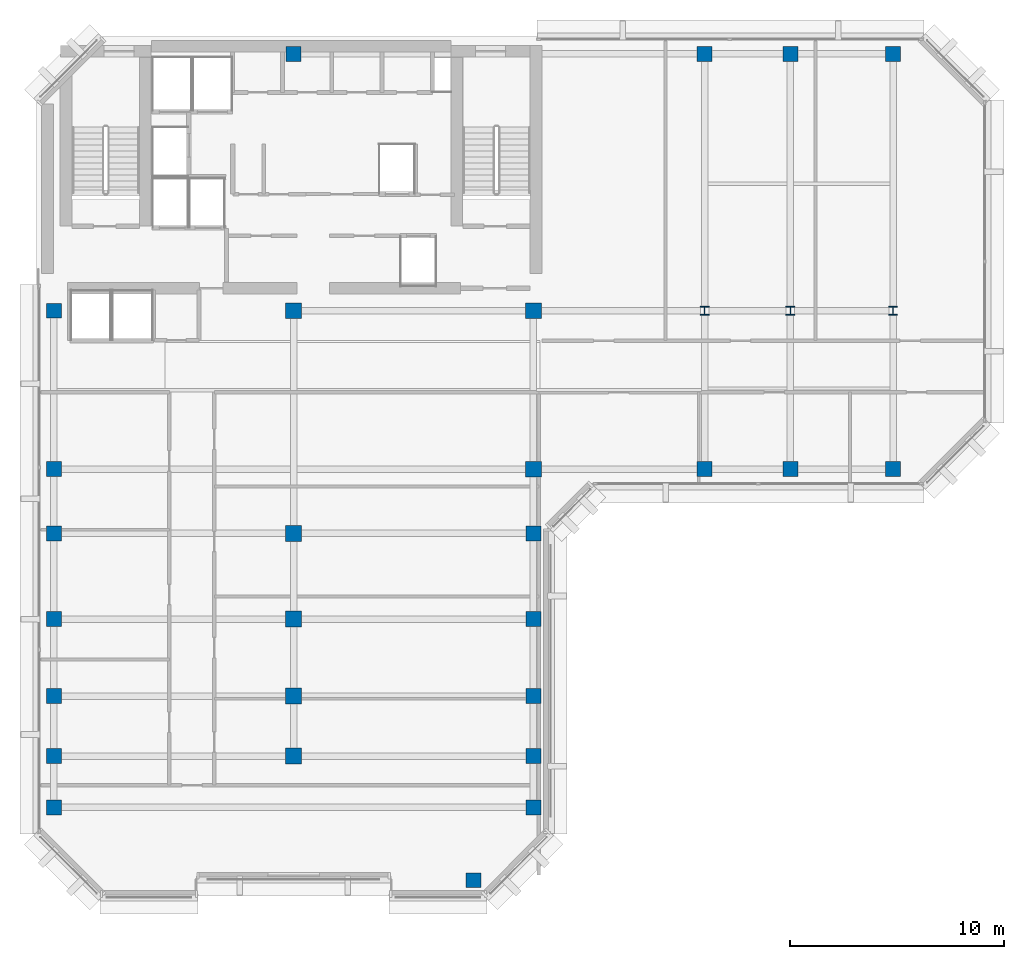
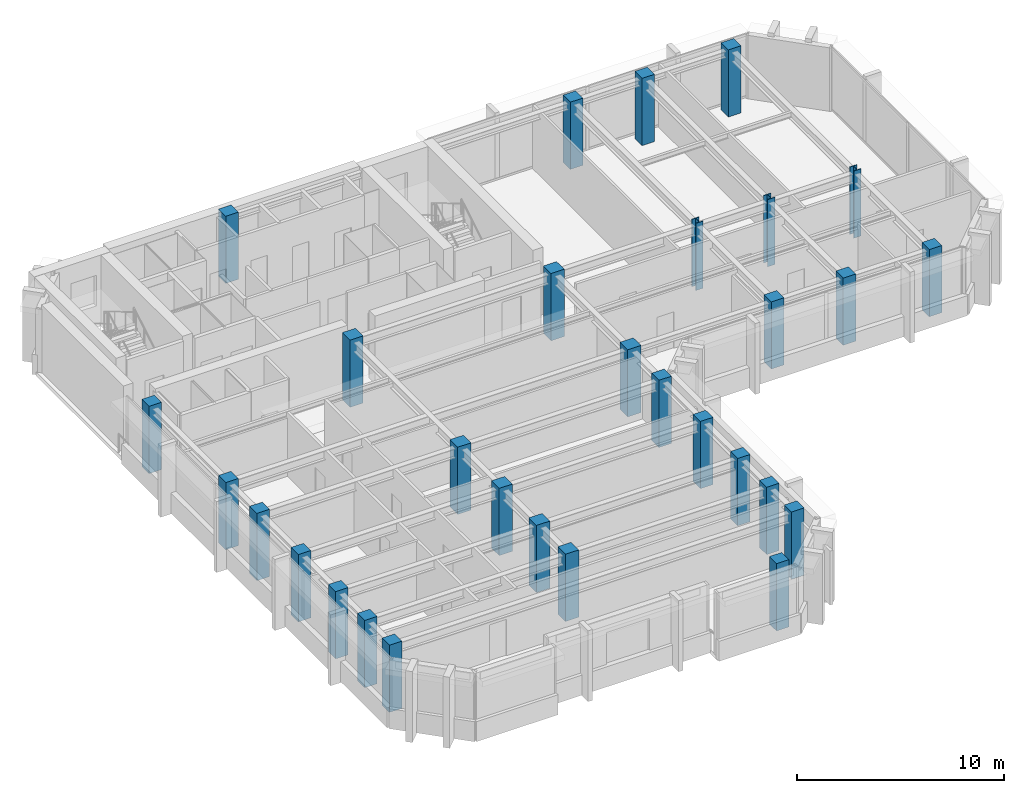
# One storey, part 1 of 12: 30 columns.
"""IFC4 building model written with IfcOpenShell, lengths in metres."""

from ifc_helpers import new_model, si_unit, direction, frame, origin, origin_2d, place, context, subcontext, project, spatial, rectangle, i_section, extrude, material, material_profile, profile_set, type_object, element, save


model = new_model("IFC4")

# Units and contexts
model_context = context("Model", 3, precision=1e-05, world=origin(), true_north=direction((0.0, 1.0)))
body_context = subcontext(model_context, "Body", "Model", "MODEL_VIEW")
ifc_project = project(units=[si_unit("LENGTHUNIT", "METRE"), si_unit("AREAUNIT", "SQUARE_METRE"), si_unit("VOLUMEUNIT", "CUBIC_METRE"), si_unit("PLANEANGLEUNIT", "RADIAN"), si_unit("MASSUNIT", "GRAM", prefix="KILO")], contexts=[model_context])

# Site, building, storey
site_placement = place(None, origin())
site = spatial("IfcSite", under=ifc_project, at=site_placement, CompositionType="ELEMENT")
building_placement = place(site_placement, origin())
building = spatial("IfcBuilding", under=site, at=building_placement, Name="Kefirva Bronze Tower", CompositionType="ELEMENT")
storey_placement = place(building_placement, frame((0.0, 0.0, 296.010009765625)))
storey = spatial("IfcBuildingStorey", under=building, at=storey_placement, Name="L72", CompositionType="ELEMENT", Elevation=296.010009765625)

# Columns
ifc_material_1 = material(Name="Concrete C50/60", Category="concrete")
ifc_material_profile_1 = material_profile(ifc_material_1, rectangle(XDim=0.699951171875, YDim=0.699951171875, at=origin_2d()), Name="RC 700x700")
ifc_profile_set_1 = profile_set([ifc_material_profile_1], Name="Concrete C50/60")
column_type_1 = type_object("IfcColumnType", Name="RC Column 700x700 Ext", PredefinedType="COLUMN", material=ifc_profile_set_1)
for number, where, z_axis, x_axis, name in (
    (1, (0.800048828125, 10.0, 0.0), (0.0, 0.0, 1.0), (1.0, 0.0, 0.0), "L72 Column C008_100"),
    (2, (0.800048828125, 12.39990234375, 0.0), (0.0, 0.0, 1.0), (1.0, 0.0, 0.0), "L72 Column C008_124"),
    (3, (0.800048828125, 15.199951171875, 0.0), (0.0, 0.0, 1.0), (1.0, 0.0, 0.0), "L72 Column C008_152"),
    (4, (0.800048828125, 18.800048828125, 0.0), (0.0, 0.0, 1.0), (1.0, 0.0, 0.0), "L72 Column C008_188"),
    (5, (0.800048828125, 22.800048828125, 0.0), (0.0, 0.0, 1.0), (1.0, 0.0, 0.0), "L72 Column C008_228"),
    (6, (0.800048828125, 25.800048828125, 0.0), (0.0, 0.0, 1.0), (1.0, 0.0, 0.0), "L72 Column C008_258"),
    (7, (0.800048828125, 33.199951171875, 0.0), (0.0, 0.0, 1.0), (1.0, 0.0, 0.0), "L72 Column C008_332"),
    (8, (12.0, 45.199951171875, 0.0), (0.0, 0.0, 1.0), (1.0, 0.0, 0.0), "L72 Column C120_452"),
    (9, (20.39990234375, 6.60009765625, 0.0), (0.0, 0.0, 1.0), (1.0, 0.0, 0.0), "L72 Column C204_066"),
    (10, (23.199951171875, 10.0, 0.0), (0.0, 0.0, 1.0), (1.0, 0.0, 0.0), "L72 Column C232_100"),
    (11, (23.199951171875, 12.39990234375, 0.0), (0.0, 0.0, 1.0), (1.0, 0.0, 0.0), "L72 Column C232_124"),
    (12, (23.199951171875, 15.199951171875, 0.0), (0.0, 0.0, 1.0), (1.0, 0.0, 0.0), "L72 Column C232_152"),
    (13, (23.199951171875, 18.800048828125, 0.0), (0.0, 0.0, 1.0), (1.0, 0.0, 0.0), "L72 Column C232_188"),
    (14, (23.199951171875, 22.800048828125, 0.0), (0.0, 0.0, 1.0), (1.0, 0.0, 0.0), "L72 Column C232_228"),
    (15, (31.199951171875, 25.800048828125, 0.0), (0.0, 0.0, 1.0), (1.0, 0.0, 0.0), "L72 Column C312_258"),
    (16, (31.199951171875, 45.199951171875, 0.0), (0.0, 0.0, 1.0), (1.0, 0.0, 0.0), "L72 Column C312_452"),
    (17, (35.199951171875, 25.800048828125, 0.0), (0.0, 0.0, 1.0), (1.0, 0.0, 0.0), "L72 Column C352_258"),
    (18, (35.199951171875, 45.199951171875, 0.0), (0.0, 0.0, 1.0), (1.0, 0.0, 0.0), "L72 Column C352_452"),
    (19, (40.0, 25.800048828125, 0.0), (0.0, 0.0, 1.0), (1.0, 0.0, 0.0), "L72 Column C400_258"),
    (20, (40.0, 45.199951171875, 0.0), (0.0, 0.0, 1.0), (1.0, 0.0, 0.0), "L72 Column C400_452"),
):
    element("IfcColumn", number, at=place(storey_placement, frame(where, z_axis=z_axis, x_axis=x_axis)), inside=storey, type_object=column_type_1, Name=name, PredefinedType="COLUMN", context=body_context, shape_type="SweptSolid", body=[
        extrude(rectangle(XDim=0.699951171875, YDim=0.699951171875, at=origin_2d()), origin(), (0.0, 0.0, 1.0), 3.9599609375),
    ])
ifc_material_profile_2 = material_profile(ifc_material_1, rectangle(XDim=0.739990234375, YDim=0.739990234375, at=origin_2d()), Name="RC 740x740")
ifc_profile_set_2 = profile_set([ifc_material_profile_2], Name="Concrete C50/60")
column_type_2 = type_object("IfcColumnType", Name="RC Column 740x740 Int", PredefinedType="COLUMN", material=ifc_profile_set_2)
for number, where, z_axis, x_axis, name in (
    (21, (12.0, 12.39990234375, 0.0), (0.0, 0.0, 1.0), (1.0, 0.0, 0.0), "L72 Column C120_124"),
    (22, (12.0, 15.199951171875, 0.0), (0.0, 0.0, 1.0), (1.0, 0.0, 0.0), "L72 Column C120_152"),
    (23, (12.0, 18.800048828125, 0.0), (0.0, 0.0, 1.0), (1.0, 0.0, 0.0), "L72 Column C120_188"),
    (24, (12.0, 22.800048828125, 0.0), (0.0, 0.0, 1.0), (1.0, 0.0, 0.0), "L72 Column C120_228"),
    (25, (12.0, 33.199951171875, 0.0), (0.0, 0.0, 1.0), (1.0, 0.0, 0.0), "L72 Column C120_332"),
    (26, (23.199951171875, 25.800048828125, 0.0), (0.0, 0.0, 1.0), (1.0, 0.0, 0.0), "L72 Column C232_258"),
    (27, (23.199951171875, 33.199951171875, 0.0), (0.0, 0.0, 1.0), (1.0, 0.0, 0.0), "L72 Column C232_332"),
):
    element("IfcColumn", number, at=place(storey_placement, frame(where, z_axis=z_axis, x_axis=x_axis)), inside=storey, type_object=column_type_2, Name=name, PredefinedType="COLUMN", context=body_context, shape_type="SweptSolid", body=[
        extrude(rectangle(XDim=0.739990234375, YDim=0.739990234375, at=origin_2d()), origin(), (0.0, 0.0, 1.0), 3.9599609375),
    ])
ifc_material_2 = material(Name="Steel S460", Category="steel")
ifc_material_profile_3 = material_profile(ifc_material_2, i_section(OverallWidth=0.406005859375, OverallDepth=0.416015625, WebThickness=0.02197265625, FlangeThickness=0.035888671875, at=origin_2d()), Name="HD 400x382")
ifc_profile_set_3 = profile_set([ifc_material_profile_3], Name="Steel S460")
column_type_3 = type_object("IfcColumnType", Name="Steel Column HD 400x382", PredefinedType="COLUMN", material=ifc_profile_set_3)
for number, where, z_axis, x_axis, name in (
    (28, (31.199951171875, 33.199951171875, 0.0), (0.0, 0.0, 1.0), (1.0, 0.0, 0.0), "L72 Column C312_332"),
    (29, (35.199951171875, 33.199951171875, 0.0), (0.0, 0.0, 1.0), (1.0, 0.0, 0.0), "L72 Column C352_332"),
    (30, (40.0, 33.199951171875, 0.0), (0.0, 0.0, 1.0), (1.0, 0.0, 0.0), "L72 Column C400_332"),
):
    element("IfcColumn", number, at=place(storey_placement, frame(where, z_axis=z_axis, x_axis=x_axis)), inside=storey, type_object=column_type_3, Name=name, PredefinedType="COLUMN", context=body_context, shape_type="SweptSolid", body=[
        extrude(i_section(OverallWidth=0.406005859375, OverallDepth=0.416015625, WebThickness=0.02197265625, FlangeThickness=0.035888671875, at=origin_2d()), origin(), (0.0, 0.0, 1.0), 3.9599609375),
    ])

save(model, "model.ifc")
